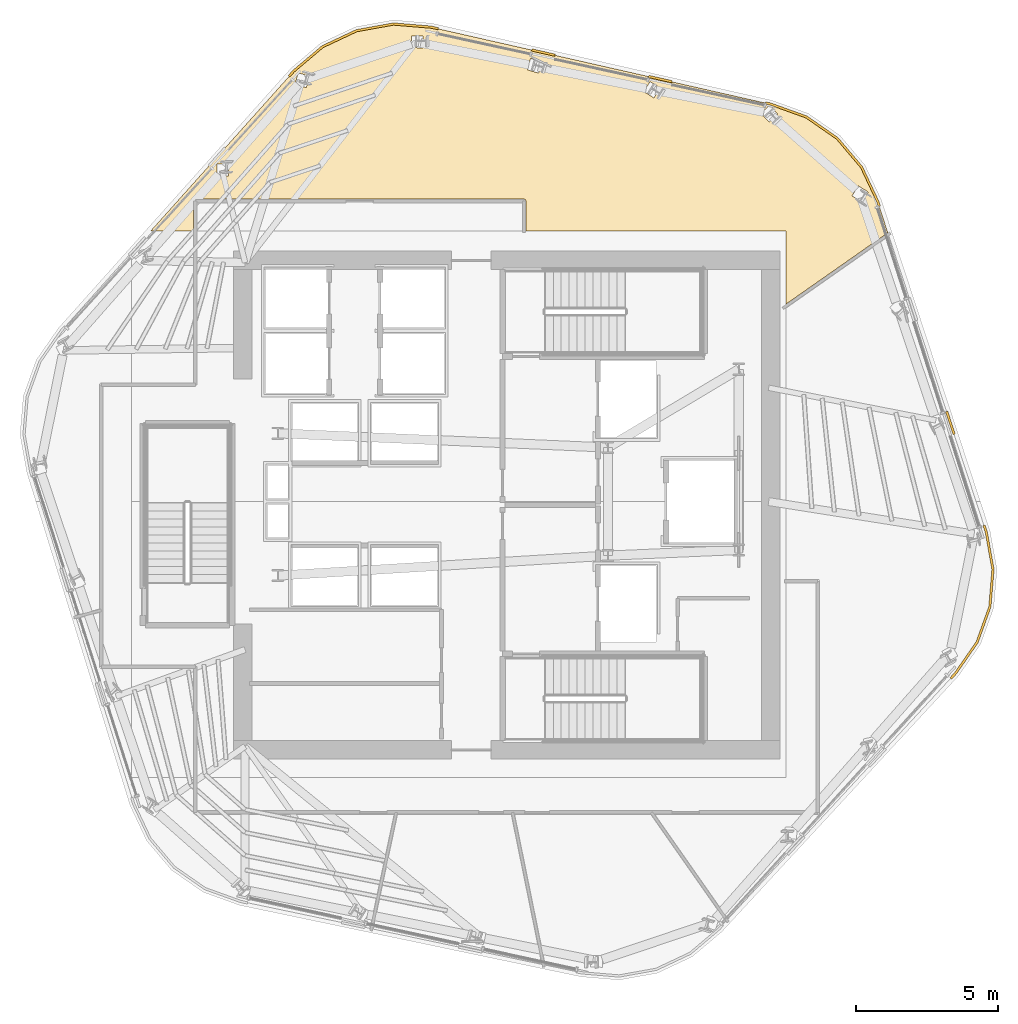
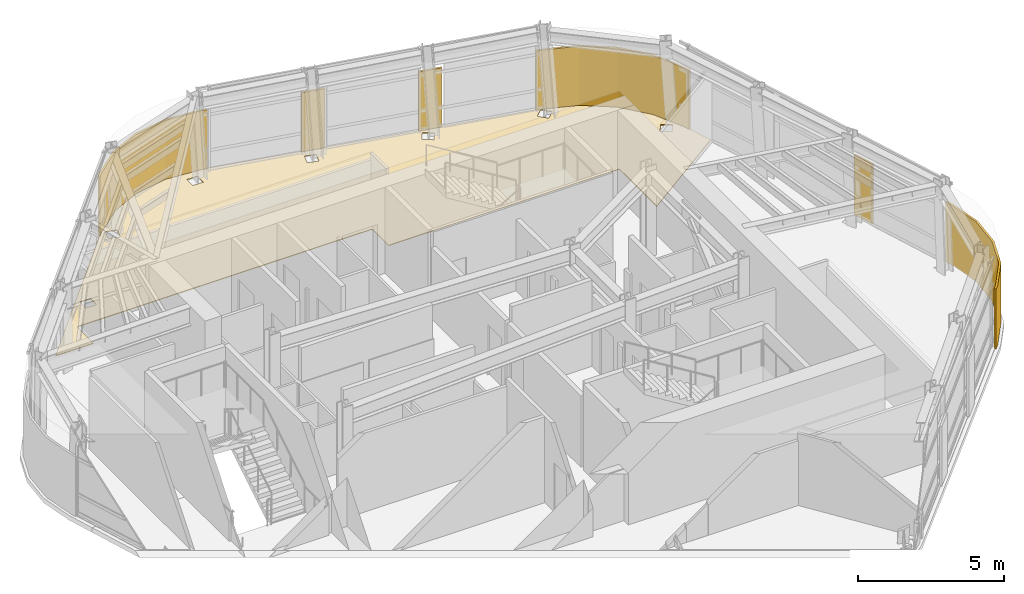
# One storey, part 13 of 13: 7 coverings.
"""IFC4 building model written with IfcOpenShell, lengths in metres."""

import ifcopenshell
import ifcopenshell.guid

model = None  # the IFC model being written
_history = None  # IfcOwnerHistory: only IFC2X3 demands one
_inside = {}  # id of a spatial element -> (the spatial element, [elements in it])
_under = {}  # id of a project, library or spatial element -> (it, [spatial elements below it])
_declared = {}  # id of a project -> (the project, [libraries it declares])
_typed = {}  # id of a type object -> (the type object, [elements of that type])
_made_of = {}  # id of a material, layer set ... -> (it, [elements and type objects made of it])


def new_model(schema):
    """Start an empty IFC model of exactly this schema.

    Asked for "IFC4X3", IfcOpenShell would pick the latest addendum, in which some entities
    have other attributes; the version numbers below select the first issue.
    IFC2X3 requires an IfcOwnerHistory on every rooted entity: one is made here for all.
    """
    global model, _history
    if schema == "IFC4X3":
        model = ifcopenshell.file(schema_version=(4, 3, 0, 0))
    else:
        model = ifcopenshell.file(schema=schema)
    _inside.clear()
    _under.clear()
    _declared.clear()
    _typed.clear()
    _made_of.clear()
    _history = None
    if model.schema == "IFC2X3":
        org = make("IfcOrganization", Name="unknown")
        user = make(
            "IfcPersonAndOrganization",
            ThePerson=make("IfcPerson", FamilyName="unknown"),
            TheOrganization=org,
        )
        app = make(
            "IfcApplication",
            ApplicationDeveloper=org,
            Version="unknown",
            ApplicationFullName="unknown",
            ApplicationIdentifier="unknown",
        )
        _history = make(
            "IfcOwnerHistory",
            OwningUser=user,
            OwningApplication=app,
            ChangeAction="ADDED",
            CreationDate=0,
        )
    return model


def make(cls, **values):
    """One entity of the class cls with the attributes given. An attribute that is None is left unset."""
    return model.create_entity(
        cls, **{name: value for name, value in values.items() if value is not None}
    )


def rooted(cls, **values):
    """An entity with a GlobalId (a new one), such as an element, a storey or a relation."""
    return make(cls, GlobalId=ifcopenshell.guid.new(), OwnerHistory=_history, **values)


def si_unit(unit_type, name, prefix=None):
    """IfcSIUnit, for example si_unit("LENGTHUNIT", "METRE", prefix="MILLI")."""
    return make("IfcSIUnit", UnitType=unit_type, Prefix=prefix, Name=name)


def assignment(units):
    """IfcUnitAssignment: the units of a project."""
    return None if units is None else make("IfcUnitAssignment", Units=units)


def point(xyz):
    """IfcCartesianPoint."""
    return None if xyz is None else make("IfcCartesianPoint", Coordinates=xyz)


def direction(xyz):
    """IfcDirection."""
    return None if xyz is None else make("IfcDirection", DirectionRatios=xyz)


def frame(location, z_axis=None, x_axis=None):
    """IfcAxis2Placement3D, a coordinate frame: its origin and axes. An axis left out is left unset."""
    return make(
        "IfcAxis2Placement3D",
        Location=point(location),
        Axis=direction(z_axis),
        RefDirection=direction(x_axis),
    )


def origin():
    """The frame at (0, 0, 0) with its axes left unset."""
    return frame((0.0, 0.0, 0.0))


def place(relative_to, where):
    """IfcLocalPlacement: puts the frame where relative to a parent placement (None: the world)."""
    return make(
        "IfcLocalPlacement", PlacementRelTo=relative_to, RelativePlacement=where
    )


def context(
    kind, dimensions, precision=None, world=None, true_north=None, identifier=None
):
    """IfcGeometricRepresentationContext, for example the 3D "Model" context."""
    return make(
        "IfcGeometricRepresentationContext",
        ContextIdentifier=identifier,
        ContextType=kind,
        CoordinateSpaceDimension=dimensions,
        Precision=precision,
        WorldCoordinateSystem=world,
        TrueNorth=true_north,
    )


def subcontext(parent, identifier, kind, view, scale=None):
    """IfcGeometricRepresentationSubContext, for example "Body" below "Model"."""
    return make(
        "IfcGeometricRepresentationSubContext",
        ContextIdentifier=identifier,
        ContextType=kind,
        ParentContext=parent,
        TargetScale=scale,
        TargetView=view,
    )


def project(units=None, contexts=None):
    """IfcProject with its units and contexts."""
    return rooted(
        "IfcProject",
        Name="project",
        RepresentationContexts=contexts,
        UnitsInContext=assignment(units),
    )


def spatial(cls, under=None, at=None, **own):
    """A site, building, storey or space (cls), placed at a placement, below another one or the project."""
    s = rooted(cls, ObjectPlacement=at, **own)
    if under is not None:
        _under.setdefault(under.id(), (under, []))[1].append(s)
    return s


def polyline(points):
    """IfcPolyline through the points."""
    return make("IfcPolyline", Points=[point(p) for p in points])


def outline(outer, holes=None, kind="AREA"):
    """IfcArbitraryClosedProfileDef: a profile drawn as a closed curve; with holes, ...WithVoids."""
    if holes is None:
        return make("IfcArbitraryClosedProfileDef", ProfileType=kind, OuterCurve=outer)
    return make(
        "IfcArbitraryProfileDefWithVoids",
        ProfileType=kind,
        OuterCurve=outer,
        InnerCurves=holes,
    )


def extrude(swept, where, along, depth):
    """IfcExtrudedAreaSolid: the profile swept, set in the frame where, extruded along a direction by depth."""
    return make(
        "IfcExtrudedAreaSolid",
        SweptArea=swept,
        Position=where,
        ExtrudedDirection=direction(along),
        Depth=depth,
    )


def shape(context_of_items, identifier, shape_type, items):
    """IfcShapeRepresentation: the items that make up one representation, for example the "Body"."""
    return make(
        "IfcShapeRepresentation",
        ContextOfItems=context_of_items,
        RepresentationIdentifier=identifier,
        RepresentationType=shape_type,
        Items=items,
    )


def material(Name=None, Category=None):
    """IfcMaterial."""
    return make("IfcMaterial", Name=Name, Category=Category)


def layer(
    of_material, thickness, ventilated=None, Name=None, Category=None, Priority=None
):
    """IfcMaterialLayer: one layer of a wall or slab, of a material (None: an air gap)."""
    return make(
        "IfcMaterialLayer",
        Material=of_material,
        LayerThickness=thickness,
        IsVentilated=ventilated,
        Name=Name,
        Category=Category,
        Priority=Priority,
    )


def layer_set(layers, Name=None):
    """IfcMaterialLayerSet."""
    return make("IfcMaterialLayerSet", MaterialLayers=layers, LayerSetName=Name)


def made_of(thing, what):
    """Note that an element or type object is made of a material, layer set ...; save() writes the relation."""
    if what is not None:
        _made_of.setdefault(what.id(), (what, []))[1].append(thing)
    return thing


def type_object(cls, material=None, **own):
    """A type object (cls), such as IfcWallType, which elements share."""
    return made_of(rooted(cls, **own), material)


def element(
    cls,
    number,
    at=None,
    inside=None,
    cuts=None,
    type_object=None,
    material=None,
    context=None,
    identifier="Body",
    shape_type=None,
    held_by="IfcProductDefinitionShape",
    body=None,
    shapes=None,
    **own,
):
    """One element of the class cls, such as IfcWall. Its Tag is "e" and its number.

    at: its placement. inside: the storey or other place that contains it. cuts: it is an
    opening in that element (IfcRelVoidsElement). A single representation is given by context,
    identifier, shape_type and body (its items); several are given by shapes. held_by: the class
    of the entity that holds the representations. save() writes the other relations.
    """
    e = rooted(cls, Tag="e%d" % number, ObjectPlacement=at, **own)
    if body is not None:
        shapes = [shape(context, identifier, shape_type, body)]
    if shapes is not None:
        e.Representation = make(held_by, Representations=shapes)
    if inside is not None:
        _inside.setdefault(inside.id(), (inside, []))[1].append(e)
    if cuts is not None:
        rooted(
            "IfcRelVoidsElement", RelatingBuildingElement=cuts, RelatedOpeningElement=e
        )
    if type_object is not None:
        _typed.setdefault(type_object.id(), (type_object, []))[1].append(e)
    return made_of(e, material)


def aggregate(whole, parts):
    """IfcRelAggregates: a whole, such as a stair, and the parts it consists of."""
    return rooted("IfcRelAggregates", RelatingObject=whole, RelatedObjects=parts)


def save(model, path):
    """Write the relations noted so far, then the file.

    IfcRelAggregates (storeys below a building ...), IfcRelContainedInSpatialStructure (elements
    in a storey), IfcRelDefinesByType, IfcRelAssociatesMaterial and IfcRelDeclares: one each for
    every whole, place, type object, material and project.
    """
    for whole, parts in _under.values():
        aggregate(whole, parts)
    for where, things in _inside.values():
        rooted(
            "IfcRelContainedInSpatialStructure",
            RelatedElements=things,
            RelatingStructure=where,
        )
    for kind, things in _typed.values():
        rooted("IfcRelDefinesByType", RelatedObjects=things, RelatingType=kind)
    for what, things in _made_of.values():
        rooted("IfcRelAssociatesMaterial", RelatedObjects=things, RelatingMaterial=what)
    for by, libraries in _declared.values():
        rooted("IfcRelDeclares", RelatingContext=by, RelatedDefinitions=libraries)
    model.write(path)


model = new_model("IFC4")

# Units and contexts
model_context = context("Model", 3, precision=1e-05, world=origin(), true_north=direction((0.0, 1.0)))
body_context = subcontext(model_context, "Body", "Model", "MODEL_VIEW")
ifc_project = project(units=[si_unit("LENGTHUNIT", "METRE"), si_unit("AREAUNIT", "SQUARE_METRE"), si_unit("VOLUMEUNIT", "CUBIC_METRE"), si_unit("PLANEANGLEUNIT", "RADIAN"), si_unit("MASSUNIT", "GRAM", prefix="KILO")], contexts=[model_context])

# Site, building, storey
site_placement = place(None, origin())
site = spatial("IfcSite", under=ifc_project, at=site_placement, CompositionType="ELEMENT")
building_placement = place(site_placement, origin())
building = spatial("IfcBuilding", under=site, at=building_placement, Name="Valkerne Bourse Tower", CompositionType="ELEMENT")
storey_placement = place(building_placement, frame((0.0, 0.0, 228.39990234375)))
storey = spatial("IfcBuildingStorey", under=building, at=storey_placement, Name="L58", CompositionType="ELEMENT", Elevation=228.39990234375)

# Coverings
ifc_material_1 = material(Name="Bronze Anodised Aluminium AA 6063-T6", Category="aluminium")
ifc_layer_1 = layer(ifc_material_1, 0.06005859375)
ifc_layer_set_1 = layer_set([ifc_layer_1], Name="Bronze Anodised Aluminium AA 6063-T6")
covering_type_1 = type_object("IfcCoveringType", Name="COV-CRN-ALUM", PredefinedType="CLADDING", material=ifc_layer_set_1)
covering_1_placement = place(storey_placement, origin())
element("IfcCovering", 1, at=covering_1_placement, inside=storey, type_object=covering_type_1, Name="L58 Wind-Shaped Corner Aluminium Cladding 01", PredefinedType="CLADDING", context=body_context, shape_type="SweptSolid", body=[
    extrude(outline(polyline([(63.923095703125, 24.6171875), (63.811767578125, 23.291015625), (63.36083984375, 22.038330078125), (62.59765625, 20.940185546875), (62.426513671875, 20.75537109375), (62.3671875, 20.80908203125), (62.53515625, 20.990478515625), (63.2890625, 22.075439453125), (63.73291015625, 23.30810546875), (63.842529296875, 24.613525390625), (63.608642578125, 25.913818359375), (63.531494140625, 26.148681640625), (63.607666015625, 26.173095703125), (63.686279296875, 25.93359375), (63.923095703125, 24.6171875)])), origin(), (0.0, 0.0, 1.0), 2.5),
])
covering_2_placement = place(storey_placement, origin())
element("IfcCovering", 2, at=covering_2_placement, inside=storey, type_object=covering_type_1, Name="L58 Wind-Shaped Corner Aluminium Cladding 13", PredefinedType="CLADDING", context=body_context, shape_type="SweptSolid", body=[
    extrude(outline(polyline([(39.280517578125, 42.1572265625), (40.302001953125, 43.0205078125), (41.50634765625, 43.587158203125), (42.81640625, 43.82275390625), (44.149169921875, 43.7109375), (44.39501953125, 43.6552734375), (44.377685546875, 43.5771484375), (44.13671875, 43.6318359375), (42.8203125, 43.7421875), (41.531005859375, 43.51025390625), (40.345458984375, 42.952392578125), (39.33642578125, 42.099609375), (39.171630859375, 41.91552734375), (39.1123046875, 41.969482421875), (39.280517578125, 42.1572265625)])), origin(), (0.0, 0.0, 1.0), 2.5),
])
covering_3_placement = place(storey_placement, origin())
element("IfcCovering", 3, at=covering_3_placement, inside=storey, type_object=covering_type_1, Name="L58 Wind-Shaped Corner Aluminium Cladding 14", PredefinedType="CLADDING", context=body_context, shape_type="SweptSolid", body=[
    extrude(outline(polyline([(48.502685546875, 42.72412109375), (48.485595703125, 42.64599609375), (47.66650390625, 42.83154296875), (47.68359375, 42.909912109375), (48.502685546875, 42.72412109375)])), origin(), (0.0, 0.0, 1.0), 2.5),
])
covering_4_placement = place(storey_placement, origin())
element("IfcCovering", 4, at=covering_4_placement, inside=storey, type_object=covering_type_1, Name="L58 Wind-Shaped Corner Aluminium Cladding 15", PredefinedType="CLADDING", context=body_context, shape_type="SweptSolid", body=[
    extrude(outline(polyline([(52.61083984375, 41.79296875), (52.59375, 41.714599609375), (51.7744140625, 41.900390625), (51.79150390625, 41.978515625), (52.61083984375, 41.79296875)])), origin(), (0.0, 0.0, 1.0), 2.5),
])
covering_5_placement = place(storey_placement, origin())
element("IfcCovering", 5, at=covering_5_placement, inside=storey, type_object=covering_type_1, Name="L58 Wind-Shaped Corner Aluminium Cladding 16", PredefinedType="CLADDING", context=body_context, shape_type="SweptSolid", body=[
    extrude(outline(polyline([(56.08740234375, 41.004638671875), (57.346435546875, 40.551513671875), (58.439453125, 39.791748046875), (59.298583984375, 38.77490234375), (59.868408203125, 37.564208984375), (59.9287109375, 37.381103515625), (59.852294921875, 37.356689453125), (59.7939453125, 37.53466796875), (59.230712890625, 38.7314453125), (58.38525390625, 39.73193359375), (57.309326171875, 40.479736328125), (56.06494140625, 40.927734375), (55.88232421875, 40.96923828125), (55.8994140625, 41.04736328125), (56.08740234375, 41.004638671875)])), origin(), (0.0, 0.0, 1.0), 2.5),
])
covering_6_placement = place(storey_placement, origin())
element("IfcCovering", 6, at=covering_6_placement, inside=storey, type_object=covering_type_1, Name="L58 Wind-Shaped Corner Aluminium Cladding 18", PredefinedType="CLADDING", context=body_context, shape_type="SweptSolid", body=[
    extrude(outline(polyline([(62.55615234375, 29.376708984375), (62.479736328125, 29.3525390625), (62.2177734375, 30.150634765625), (62.2939453125, 30.175048828125), (62.55615234375, 29.376708984375)])), origin(), (0.0, 0.0, 1.0), 2.5),
])
ifc_material_2 = material(Name="Polished Granite Stone", Category="masonry")
ifc_layer_2 = layer(ifc_material_2, 0.030029296875)
ifc_layer_set_2 = layer_set([ifc_layer_2], Name="Polished Granite Stone")
covering_type_2 = type_object("IfcCoveringType", Name="COV-FLR-TERRAZZO", PredefinedType="FLOORING", material=ifc_layer_set_2)
covering_7_placement = place(storey_placement, origin())
element("IfcCovering", 7, at=covering_7_placement, inside=storey, type_object=covering_type_2, Name="L58 Floor Finish 09", PredefinedType="FLOORING", context=body_context, shape_type="SweptSolid", body=[
    extrude(outline(polyline([(39.311279296875, 42.12548828125), (40.325927734375, 42.983154296875), (41.52001953125, 43.544921875), (42.818603515625, 43.778564453125), (44.142333984375, 43.66748046875), (56.074951171875, 40.96240234375), (57.326171875, 40.511962890625), (58.40966796875, 39.7587890625), (59.261474609375, 38.7509765625), (59.827392578125, 37.5478515625), (60.18896484375, 36.447021484375), (56.60009765625, 33.93408203125), (56.60009765625, 36.5), (47.468994140625, 36.5), (47.468994140625, 37.564697265625), (47.447021484375, 37.61083984375), (47.404541015625, 37.62890625), (35.83349609375, 37.627197265625), (35.794677734375, 37.601806640625), (35.781005859375, 37.560791015625), (35.781005859375, 36.5), (34.276611328125, 36.5), (39.311279296875, 42.12548828125)]), holes=[polyline([(37.01708984375, 38.43896484375), (37.03125, 38.852783203125), (36.6201171875, 38.86767578125), (36.618408203125, 38.8662109375), (36.60400390625, 38.452392578125), (37.015380859375, 38.4375), (37.01708984375, 38.43896484375)]), polyline([(39.748779296875, 41.548583984375), (39.8671875, 41.9453125), (39.473388671875, 42.064208984375), (39.47119140625, 42.06298828125), (39.352783203125, 41.66650390625), (39.74658203125, 41.547607421875), (39.748779296875, 41.548583984375)]), polyline([(43.859619140625, 43.354736328125), (43.4462890625, 43.3662109375), (43.444091796875, 43.36572265625), (43.432861328125, 42.9541015625), (43.84619140625, 42.942626953125), (43.8486328125, 42.943115234375), (43.859619140625, 43.354736328125)]), polyline([(59.496337890625, 37.878173828125), (59.14599609375, 38.09326171875), (58.9287109375, 37.740478515625), (58.930419921875, 37.738525390625), (59.280517578125, 37.523681640625), (59.497802734375, 37.87646484375), (59.496337890625, 37.878173828125)]), polyline([(56.03662109375, 40.9208984375), (56.03466796875, 40.922119140625), (55.73486328125, 40.6396484375), (56.01806640625, 40.33837890625), (56.02001953125, 40.337158203125), (56.31982421875, 40.61962890625), (56.03662109375, 40.9208984375)]), polyline([(51.835205078125, 41.755126953125), (51.833251953125, 41.756103515625), (51.61474609375, 41.40673828125), (51.96533203125, 41.187255859375), (51.967529296875, 41.1865234375), (52.185791015625, 41.53564453125), (51.835205078125, 41.755126953125)]), polyline([(48.030517578125, 42.452392578125), (47.633544921875, 42.568603515625), (47.63134765625, 42.568603515625), (47.51611328125, 42.17333984375), (47.9130859375, 42.05712890625), (47.915283203125, 42.056884765625), (48.030517578125, 42.452392578125)])]), origin(), (0.0, 0.0, 1.0), 0.030029296875),
])

save(model, "model.ifc")
